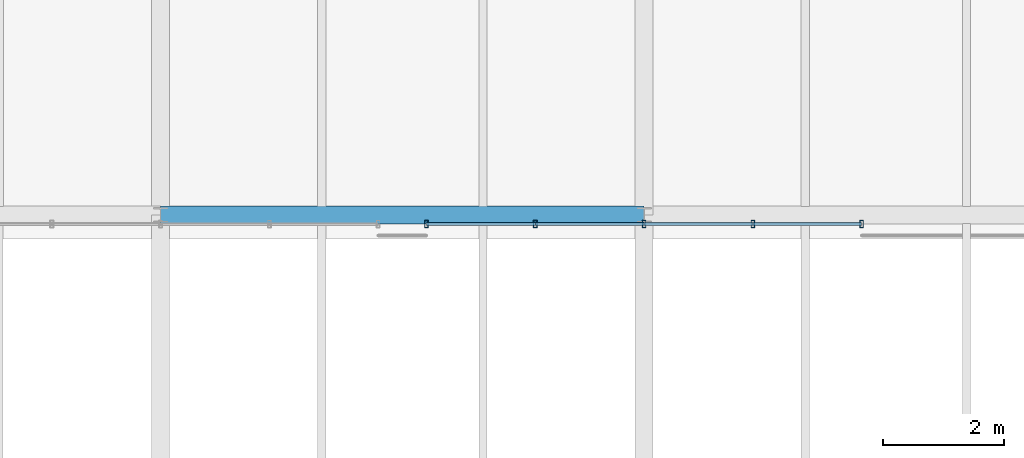
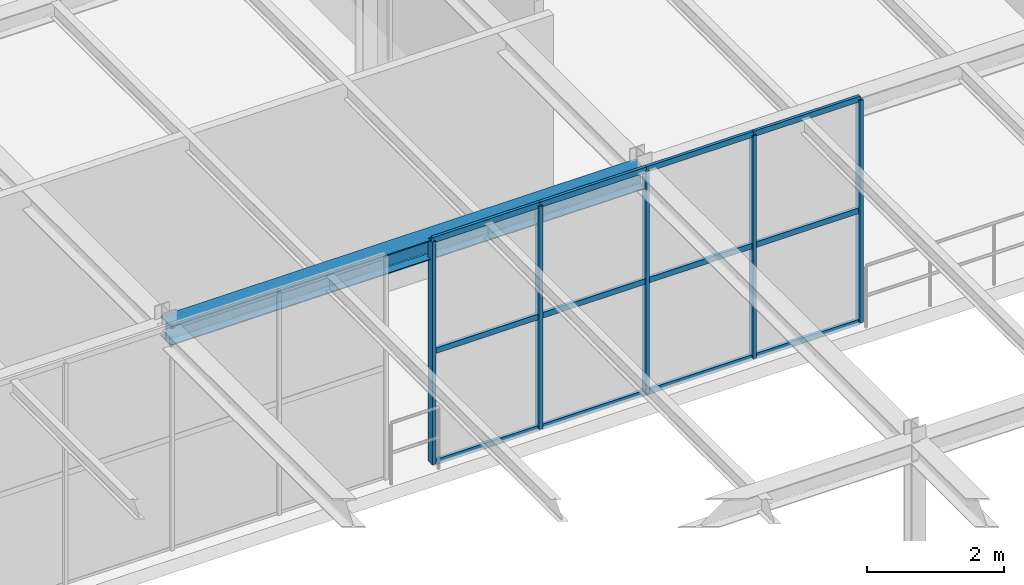
# One storey, part 61 of 124: 17 members, 1 beam, 1 element without a shape of its own.
"""IFC4 building model written with IfcOpenShell, lengths in metres."""

from ifc_helpers import new_model, si_unit, direction, frame, origin, origin_2d, place, context, subcontext, project, spatial, hollow_rectangle, i_section, extrude, material, material_profile, profile_set, type_object, element, aggregate, save


model = new_model("IFC4")

# Units and contexts
model_context = context("Model", 3, precision=1e-05, world=origin(), true_north=direction((0.0, 1.0)))
body_context = subcontext(model_context, "Body", "Model", "MODEL_VIEW")
ifc_project = project(units=[si_unit("LENGTHUNIT", "METRE"), si_unit("AREAUNIT", "SQUARE_METRE"), si_unit("VOLUMEUNIT", "CUBIC_METRE"), si_unit("PLANEANGLEUNIT", "RADIAN"), si_unit("MASSUNIT", "GRAM", prefix="KILO")], contexts=[model_context])

# Site, building, storey
site_placement = place(None, origin())
site = spatial("IfcSite", under=ifc_project, at=site_placement, CompositionType="ELEMENT")
building_placement = place(site_placement, origin())
building = spatial("IfcBuilding", under=site, at=building_placement, Name="Sundkrona Museum", CompositionType="ELEMENT")
storey_placement = place(building_placement, frame((0.0, 0.0, 17.60009765625)))
storey = spatial("IfcBuildingStorey", under=building, at=storey_placement, Name="L03", CompositionType="ELEMENT", Elevation=17.60009765625)

# Beam
ifc_material_1 = material(Name="Steel S355J2", Category="steel")
ifc_material_profile_1 = material_profile(ifc_material_1, i_section(OverallWidth=0.300048828125, OverallDepth=0.35009765625, WebThickness=0.010009765625, FlangeThickness=0.017578125, FilletRadius=0.027099609375, at=origin_2d()), Name="HEA 360")
ifc_profile_set_1 = profile_set([ifc_material_profile_1], Name="Steel S355J2")
beam_type = type_object("IfcBeamType", Name="B-HEA360", PredefinedType="BEAM", material=ifc_profile_set_1)
beam_placement = place(storey_placement, frame((32.0, 94.0, 3.784912109375), z_axis=(1.0, 0.0, 0.0), x_axis=(0.0, 1.0, 0.0)))
element("IfcBeam", 1, at=beam_placement, inside=storey, type_object=beam_type, Name="L03 Girder X-1510", PredefinedType="BEAM", context=body_context, shape_type="SweptSolid", body=[
    extrude(i_section(OverallWidth=0.300048828125, OverallDepth=0.35009765625, WebThickness=0.010009765625, FlangeThickness=0.017578125, FilletRadius=0.027099609375, at=origin_2d()), origin(), (0.0, 0.0, 1.0), 8.0),
])

# Curtain wall, members
ifc_material_2 = material(Name="Unitised Aluminium-Steel and Ceramic-Clad Curtain Walling", Category="steel")
curtain_wall_type = type_object("IfcCurtainWallType", Name="CW-CL-64x38", PredefinedType="NOTDEFINED", material=ifc_material_2)
curtain_wall_placement = place(storey_placement, origin())
curtain_wall = element("IfcCurtainWall", 2, at=curtain_wall_placement, inside=storey, type_object=curtain_wall_type, Name="L03 Curtain Wall CW-L03-141", PredefinedType="NOTDEFINED")
ifc_material_3 = material(Name="Aluminium EN AW-6060 T66", Category="aluminium")
ifc_material_profile_2 = material_profile(ifc_material_3, hollow_rectangle(XDim=0.06005859375, YDim=0.1201171875, WallThickness=0.0048828125, at=origin_2d()), Name="RHS 120x60x5.0")
ifc_profile_set_2 = profile_set([ifc_material_profile_2], Name="Aluminium EN AW-6060 T66")
member_type_1 = type_object("IfcMemberType", Name="ML-120", PredefinedType="MULLION", material=ifc_profile_set_2)
member_1_placement = place(storey_placement, frame((36.39990234375, 93.85009765625, -0.004150390625), z_axis=(0.0, 0.0, 1.0), x_axis=(1.0, 0.0, 0.0)))
member_1 = element("IfcMember", 3, at=member_1_placement, type_object=member_type_1, Name="CW-L03-141 Mullion 01", PredefinedType="MULLION", context=body_context, shape_type="SweptSolid", body=[
    extrude(hollow_rectangle(XDim=0.06005859375, YDim=0.1201171875, WallThickness=0.0048828125, at=origin_2d()), origin(), (0.0, 0.0, 1.0), 3.968017578125),
])
member_2_placement = place(storey_placement, frame((38.199951171875, 93.85009765625, -0.004150390625), z_axis=(0.0, 0.0, 1.0), x_axis=(1.0, 0.0, 0.0)))
member_2 = element("IfcMember", 4, at=member_2_placement, type_object=member_type_1, Name="CW-L03-141 Mullion 02", PredefinedType="MULLION", context=body_context, shape_type="SweptSolid", body=[
    extrude(hollow_rectangle(XDim=0.06005859375, YDim=0.1201171875, WallThickness=0.0048828125, at=origin_2d()), origin(), (0.0, 0.0, 1.0), 3.968017578125),
])
member_3_placement = place(storey_placement, frame((40.0, 93.85009765625, -0.004150390625), z_axis=(0.0, 0.0, 1.0), x_axis=(1.0, 0.0, 0.0)))
member_3 = element("IfcMember", 5, at=member_3_placement, type_object=member_type_1, Name="CW-L03-141 Mullion 03", PredefinedType="MULLION", context=body_context, shape_type="SweptSolid", body=[
    extrude(hollow_rectangle(XDim=0.06005859375, YDim=0.1201171875, WallThickness=0.0048828125, at=origin_2d()), origin(), (0.0, 0.0, 1.0), 3.968017578125),
])
member_4_placement = place(storey_placement, frame((41.800048828125, 93.85009765625, -0.004150390625), z_axis=(0.0, 0.0, 1.0), x_axis=(1.0, 0.0, 0.0)))
member_4 = element("IfcMember", 6, at=member_4_placement, type_object=member_type_1, Name="CW-L03-141 Mullion 04", PredefinedType="MULLION", context=body_context, shape_type="SweptSolid", body=[
    extrude(hollow_rectangle(XDim=0.06005859375, YDim=0.1201171875, WallThickness=0.0048828125, at=origin_2d()), origin(), (0.0, 0.0, 1.0), 3.968017578125),
])
member_5_placement = place(storey_placement, frame((43.60009765625, 93.85009765625, -0.004150390625), z_axis=(0.0, 0.0, 1.0), x_axis=(1.0, 0.0, 0.0)))
member_5 = element("IfcMember", 7, at=member_5_placement, type_object=member_type_1, Name="CW-L03-141 Mullion 05", PredefinedType="MULLION", context=body_context, shape_type="SweptSolid", body=[
    extrude(hollow_rectangle(XDim=0.06005859375, YDim=0.1201171875, WallThickness=0.0048828125, at=origin_2d()), origin(), (0.0, 0.0, 1.0), 3.968017578125),
])
ifc_material_profile_3 = material_profile(ifc_material_3, hollow_rectangle(XDim=0.050048828125, YDim=0.10009765625, WallThickness=0.0048828125, at=origin_2d()), Name="RHS 100x50x5.0")
ifc_profile_set_3 = profile_set([ifc_material_profile_3], Name="Aluminium EN AW-6060 T66")
member_type_2 = type_object("IfcMemberType", Name="TR-100", PredefinedType="USERDEFINED", material=ifc_profile_set_3)
member_6_placement = place(storey_placement, frame((36.39990234375, 93.85009765625, -0.004150390625), z_axis=(1.0, 0.0, 0.0), x_axis=(0.0, 1.0, 0.0)))
member_6 = element("IfcMember", 8, at=member_6_placement, type_object=member_type_2, Name="CW-L03-141 Transom 01", ObjectType="TRANSOM", PredefinedType="USERDEFINED", context=body_context, shape_type="SweptSolid", body=[
    extrude(hollow_rectangle(XDim=0.050048828125, YDim=0.10009765625, WallThickness=0.0048828125, at=origin_2d()), origin(), (0.0, 0.0, 1.0), 1.800048828125),
])
member_7_placement = place(storey_placement, frame((36.39990234375, 93.85009765625, 1.97998046875), z_axis=(1.0, 0.0, 0.0), x_axis=(0.0, 1.0, 0.0)))
member_7 = element("IfcMember", 9, at=member_7_placement, type_object=member_type_2, Name="CW-L03-141 Transom 02", ObjectType="TRANSOM", PredefinedType="USERDEFINED", context=body_context, shape_type="SweptSolid", body=[
    extrude(hollow_rectangle(XDim=0.050048828125, YDim=0.10009765625, WallThickness=0.0048828125, at=origin_2d()), origin(), (0.0, 0.0, 1.0), 1.800048828125),
])
member_8_placement = place(storey_placement, frame((36.39990234375, 93.85009765625, 3.9638671875), z_axis=(1.0, 0.0, 0.0), x_axis=(0.0, 1.0, 0.0)))
member_8 = element("IfcMember", 10, at=member_8_placement, type_object=member_type_2, Name="CW-L03-141 Transom 03", ObjectType="TRANSOM", PredefinedType="USERDEFINED", context=body_context, shape_type="SweptSolid", body=[
    extrude(hollow_rectangle(XDim=0.050048828125, YDim=0.10009765625, WallThickness=0.0048828125, at=origin_2d()), origin(), (0.0, 0.0, 1.0), 1.800048828125),
])
member_9_placement = place(storey_placement, frame((38.199951171875, 93.85009765625, -0.004150390625), z_axis=(1.0, 0.0, 0.0), x_axis=(0.0, 1.0, 0.0)))
member_9 = element("IfcMember", 11, at=member_9_placement, type_object=member_type_2, Name="CW-L03-141 Transom 04", ObjectType="TRANSOM", PredefinedType="USERDEFINED", context=body_context, shape_type="SweptSolid", body=[
    extrude(hollow_rectangle(XDim=0.050048828125, YDim=0.10009765625, WallThickness=0.0048828125, at=origin_2d()), origin(), (0.0, 0.0, 1.0), 1.800048828125),
])
member_10_placement = place(storey_placement, frame((38.199951171875, 93.85009765625, 1.97998046875), z_axis=(1.0, 0.0, 0.0), x_axis=(0.0, 1.0, 0.0)))
member_10 = element("IfcMember", 12, at=member_10_placement, type_object=member_type_2, Name="CW-L03-141 Transom 05", ObjectType="TRANSOM", PredefinedType="USERDEFINED", context=body_context, shape_type="SweptSolid", body=[
    extrude(hollow_rectangle(XDim=0.050048828125, YDim=0.10009765625, WallThickness=0.0048828125, at=origin_2d()), origin(), (0.0, 0.0, 1.0), 1.800048828125),
])
member_11_placement = place(storey_placement, frame((38.199951171875, 93.85009765625, 3.9638671875), z_axis=(1.0, 0.0, 0.0), x_axis=(0.0, 1.0, 0.0)))
member_11 = element("IfcMember", 13, at=member_11_placement, type_object=member_type_2, Name="CW-L03-141 Transom 06", ObjectType="TRANSOM", PredefinedType="USERDEFINED", context=body_context, shape_type="SweptSolid", body=[
    extrude(hollow_rectangle(XDim=0.050048828125, YDim=0.10009765625, WallThickness=0.0048828125, at=origin_2d()), origin(), (0.0, 0.0, 1.0), 1.800048828125),
])
member_12_placement = place(storey_placement, frame((40.0, 93.85009765625, -0.004150390625), z_axis=(1.0, 0.0, 0.0), x_axis=(0.0, 1.0, 0.0)))
member_12 = element("IfcMember", 14, at=member_12_placement, type_object=member_type_2, Name="CW-L03-141 Transom 07", ObjectType="TRANSOM", PredefinedType="USERDEFINED", context=body_context, shape_type="SweptSolid", body=[
    extrude(hollow_rectangle(XDim=0.050048828125, YDim=0.10009765625, WallThickness=0.0048828125, at=origin_2d()), origin(), (0.0, 0.0, 1.0), 1.800048828125),
])
member_13_placement = place(storey_placement, frame((40.0, 93.85009765625, 1.97998046875), z_axis=(1.0, 0.0, 0.0), x_axis=(0.0, 1.0, 0.0)))
member_13 = element("IfcMember", 15, at=member_13_placement, type_object=member_type_2, Name="CW-L03-141 Transom 08", ObjectType="TRANSOM", PredefinedType="USERDEFINED", context=body_context, shape_type="SweptSolid", body=[
    extrude(hollow_rectangle(XDim=0.050048828125, YDim=0.10009765625, WallThickness=0.0048828125, at=origin_2d()), origin(), (0.0, 0.0, 1.0), 1.800048828125),
])
member_14_placement = place(storey_placement, frame((40.0, 93.85009765625, 3.9638671875), z_axis=(1.0, 0.0, 0.0), x_axis=(0.0, 1.0, 0.0)))
member_14 = element("IfcMember", 16, at=member_14_placement, type_object=member_type_2, Name="CW-L03-141 Transom 09", ObjectType="TRANSOM", PredefinedType="USERDEFINED", context=body_context, shape_type="SweptSolid", body=[
    extrude(hollow_rectangle(XDim=0.050048828125, YDim=0.10009765625, WallThickness=0.0048828125, at=origin_2d()), origin(), (0.0, 0.0, 1.0), 1.800048828125),
])
member_15_placement = place(storey_placement, frame((41.800048828125, 93.85009765625, -0.004150390625), z_axis=(1.0, 0.0, 0.0), x_axis=(0.0, 1.0, 0.0)))
member_15 = element("IfcMember", 17, at=member_15_placement, type_object=member_type_2, Name="CW-L03-141 Transom 10", ObjectType="TRANSOM", PredefinedType="USERDEFINED", context=body_context, shape_type="SweptSolid", body=[
    extrude(hollow_rectangle(XDim=0.050048828125, YDim=0.10009765625, WallThickness=0.0048828125, at=origin_2d()), origin(), (0.0, 0.0, 1.0), 1.800048828125),
])
member_16_placement = place(storey_placement, frame((41.800048828125, 93.85009765625, 1.97998046875), z_axis=(1.0, 0.0, 0.0), x_axis=(0.0, 1.0, 0.0)))
member_16 = element("IfcMember", 18, at=member_16_placement, type_object=member_type_2, Name="CW-L03-141 Transom 11", ObjectType="TRANSOM", PredefinedType="USERDEFINED", context=body_context, shape_type="SweptSolid", body=[
    extrude(hollow_rectangle(XDim=0.050048828125, YDim=0.10009765625, WallThickness=0.0048828125, at=origin_2d()), origin(), (0.0, 0.0, 1.0), 1.800048828125),
])
member_17_placement = place(storey_placement, frame((41.800048828125, 93.85009765625, 3.9638671875), z_axis=(1.0, 0.0, 0.0), x_axis=(0.0, 1.0, 0.0)))
member_17 = element("IfcMember", 19, at=member_17_placement, type_object=member_type_2, Name="CW-L03-141 Transom 12", ObjectType="TRANSOM", PredefinedType="USERDEFINED", context=body_context, shape_type="SweptSolid", body=[
    extrude(hollow_rectangle(XDim=0.050048828125, YDim=0.10009765625, WallThickness=0.0048828125, at=origin_2d()), origin(), (0.0, 0.0, 1.0), 1.800048828125),
])
aggregate(curtain_wall, [member_1, member_2, member_3, member_4, member_5, member_6, member_7, member_8, member_9, member_10, member_11, member_12, member_13, member_14, member_15, member_16, member_17])

save(model, "model.ifc")
